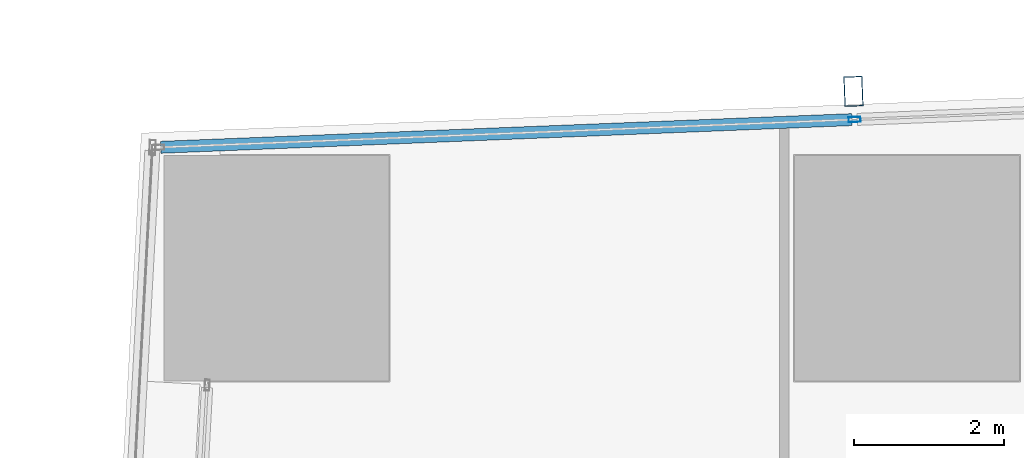
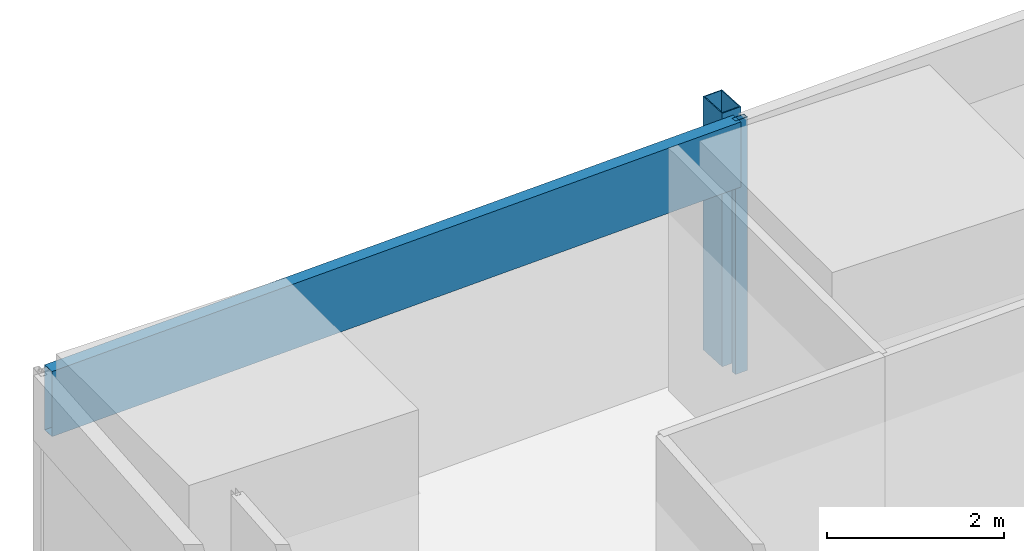
# One storey, part 15 of 39: 3 members, 1 element without a shape of its own.
"""IFC4 building model written with IfcOpenShell, lengths in metres."""

from ifc_helpers import new_model, si_unit, direction, frame, origin, origin_2d, place, context, subcontext, project, spatial, hollow_rectangle, extrude, material, material_profile, profile_set, type_object, element, aggregate, save


model = new_model("IFC4")

# Units and contexts
model_context = context("Model", 3, precision=1e-05, world=origin(), true_north=direction((0.0, 1.0)))
body_context = subcontext(model_context, "Body", "Model", "MODEL_VIEW")
ifc_project = project(units=[si_unit("LENGTHUNIT", "METRE"), si_unit("AREAUNIT", "SQUARE_METRE"), si_unit("VOLUMEUNIT", "CUBIC_METRE"), si_unit("PLANEANGLEUNIT", "RADIAN"), si_unit("MASSUNIT", "GRAM", prefix="KILO")], contexts=[model_context])

# Site, building, storey
site_placement = place(None, origin())
site = spatial("IfcSite", under=ifc_project, at=site_placement, CompositionType="ELEMENT")
building_placement = place(site_placement, origin())
building = spatial("IfcBuilding", under=site, at=building_placement, Name="Rekha Terrace Tower", CompositionType="ELEMENT")
storey_placement = place(building_placement, frame((0.0, 0.0, 155.300048828125)))
storey = spatial("IfcBuildingStorey", under=building, at=storey_placement, Name="L39", CompositionType="ELEMENT", Elevation=155.300048828125)

# Curtain wall, members
ifc_material_1 = material(Name="Aluminium framing", Category="aluminium")
curtain_wall_type = type_object("IfcCurtainWallType", Name="CW3 north unitised glazing", PredefinedType="USERDEFINED", material=ifc_material_1)
curtain_wall_placement = place(storey_placement, origin())
curtain_wall = element("IfcCurtainWall", 1, at=curtain_wall_placement, inside=storey, type_object=curtain_wall_type, Name="CW3 unitised curtain wall", ObjectType="UNITISED CURTAIN WALL", PredefinedType="USERDEFINED")
ifc_material_2 = material(Name="Steel S355 with fluorocarbon finish", Category="steel")
ifc_material_profile_1 = material_profile(ifc_material_2, hollow_rectangle(XDim=0.25, YDim=0.39990234375, WallThickness=0.012451171875, at=origin_2d()), Name="RHS400x250x12.5")
ifc_profile_set_1 = profile_set([ifc_material_profile_1], Name="Steel S355 with fluorocarbon finish")
member_type_1 = type_object("IfcMemberType", Name="BL1 facade blade RHS 400 x 250", PredefinedType="USERDEFINED", material=ifc_profile_set_1)
member_1_placement = place(storey_placement, frame((16.0869140625, 61.1552734375, 0.0), z_axis=(0.0, 0.0, 1.0), x_axis=(-0.999198382632, -0.040032388711, 0.0)))
member_1 = element("IfcMember", 2, at=member_1_placement, type_object=member_type_1, Name="Facade blade", ObjectType="FACADE BLADE", PredefinedType="USERDEFINED", context=body_context, shape_type="SweptSolid", body=[
    extrude(hollow_rectangle(XDim=0.25, YDim=0.39990234375, WallThickness=0.012451171875, at=origin_2d()), origin(), (0.0, 0.0, 1.0), 3.5),
])
ifc_material_3 = material(Name="Aluminium mullion section", Category="aluminium")
ifc_material_profile_2 = material_profile(ifc_material_3, hollow_rectangle(XDim=0.070068359375, YDim=0.159912109375, WallThickness=0.00390625, at=origin_2d()), Name="AL RHS 70x160")
ifc_profile_set_2 = profile_set([ifc_material_profile_2], Name="Aluminium mullion section")
member_type_2 = type_object("IfcMemberType", Name="CW3 mullion RHS 70 x 160", PredefinedType="MULLION", material=ifc_profile_set_2)
member_2_placement = place(storey_placement, frame((16.101806640625, 60.780517578125, 0.0), z_axis=(0.0, 0.0, 1.0), x_axis=(0.040031987119, -0.999198398721, 0.0)))
member_2 = element("IfcMember", 3, at=member_2_placement, type_object=member_type_2, Name="CW3 mullion 4", PredefinedType="MULLION", context=body_context, shape_type="SweptSolid", body=[
    extrude(hollow_rectangle(XDim=0.070068359375, YDim=0.159912109375, WallThickness=0.00390625, at=origin_2d()), origin(), (0.0, 0.0, 1.0), 3.5),
])
ifc_material_4 = material(Name="Insulated aluminium spandrel box", Category="aluminium")
ifc_material_profile_3 = material_profile(ifc_material_4, hollow_rectangle(XDim=0.159912109375, YDim=0.89990234375, WallThickness=0.0029296875, at=origin_2d()), Name="AL SPANDREL BOX 160x900")
ifc_profile_set_3 = profile_set([ifc_material_profile_3], Name="Insulated aluminium spandrel box")
member_type_3 = type_object("IfcMemberType", Name="CW3 spandrel transom 160 x 900", PredefinedType="USERDEFINED", material=ifc_profile_set_3)
member_3_placement = place(storey_placement, frame((16.06689453125, 60.779052734375, 3.050048828125), z_axis=(-0.999198332483, -0.040033640399, 0.0), x_axis=(0.040033640399, -0.999198332483, 0.0)))
member_3 = element("IfcMember", 4, at=member_3_placement, type_object=member_type_3, Name="CW3 spandrel transom 4", ObjectType="TRANSOM", PredefinedType="USERDEFINED", context=body_context, shape_type="SweptSolid", body=[
    extrude(hollow_rectangle(XDim=0.159912109375, YDim=0.89990234375, WallThickness=0.0029296875, at=origin_2d()), origin(), (0.0, 0.0, 1.0), 9.214599609375),
])
aggregate(curtain_wall, [member_2, member_3, member_1])

save(model, "model.ifc")
